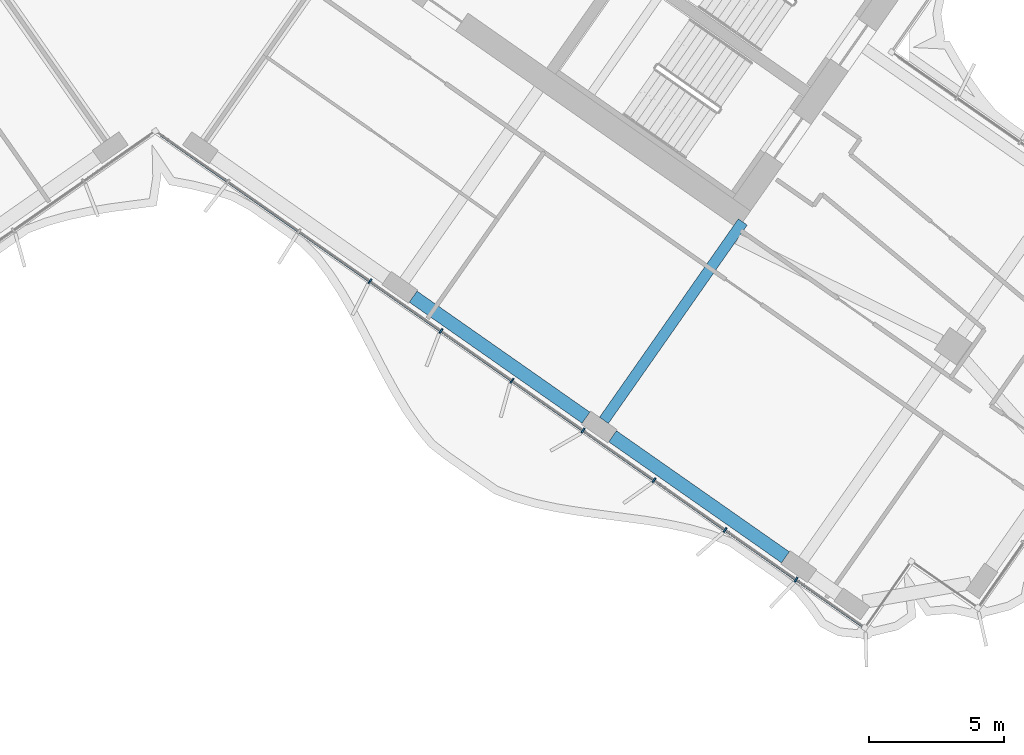
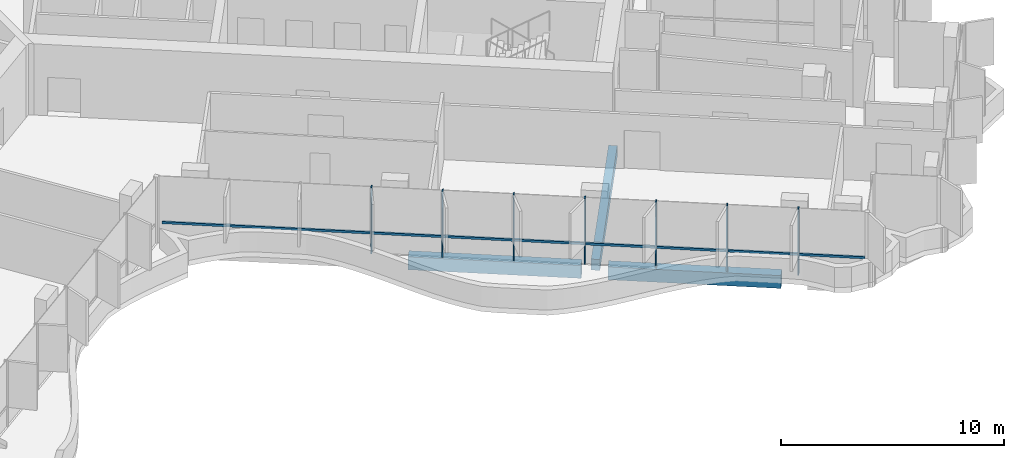
# One storey, part 5 of 21: 8 members, 3 beams, 1 element without a shape of its own.
"""IFC4 building model written with IfcOpenShell, lengths in metres."""

from ifc_helpers import new_model, si_unit, direction, frame, origin, origin_2d, place, context, subcontext, project, spatial, rectangle, extrude, material, material_profile, profile_set, type_object, element, aggregate, save


model = new_model("IFC4")

# Units and contexts
model_context = context("Model", 3, precision=1e-05, world=origin(), true_north=direction((0.0, 1.0)))
body_context = subcontext(model_context, "Body", "Model", "MODEL_VIEW")
ifc_project = project(units=[si_unit("LENGTHUNIT", "METRE"), si_unit("AREAUNIT", "SQUARE_METRE"), si_unit("VOLUMEUNIT", "CUBIC_METRE"), si_unit("PLANEANGLEUNIT", "RADIAN"), si_unit("MASSUNIT", "GRAM", prefix="KILO")], contexts=[model_context])

# Site, building, storey
site_placement = place(None, origin())
site = spatial("IfcSite", under=ifc_project, at=site_placement, CompositionType="ELEMENT")
building_placement = place(site_placement, origin())
building = spatial("IfcBuilding", under=site, at=building_placement, Name="Tel Ilan Convention Tower", CompositionType="ELEMENT")
storey_placement = place(building_placement, frame((0.0, 0.0, 155.39990234375)))
storey = spatial("IfcBuildingStorey", under=building, at=storey_placement, Name="L35", CompositionType="ELEMENT", Elevation=155.39990234375)

# Beams
ifc_material_1 = material(Name="Concrete C40/50", Category="concrete")
ifc_material_profile_1 = material_profile(ifc_material_1, rectangle(XDim=0.39990234375, YDim=0.60009765625, at=origin_2d()), Name="RC 400x600")
ifc_profile_set_1 = profile_set([ifc_material_profile_1], Name="Concrete C40/50")
beam_type_1 = type_object("IfcBeamType", Name="Beam RC 400x600 Concrete C40/50", PredefinedType="BEAM", material=ifc_profile_set_1)
beam_placement = place(storey_placement, frame((16.58203125, -23.391357421875, -0.579833984375), z_axis=(0.573584999642, 0.819146048141, 0.0), x_axis=(-0.819146048141, 0.573584999642, 0.0)))
element("IfcBeam", 1, at=beam_placement, inside=storey, type_object=beam_type_1, Name="L35 beam E-E-F3-core", PredefinedType="BEAM", context=body_context, shape_type="SweptSolid", body=[
    extrude(rectangle(XDim=0.39990234375, YDim=0.60009765625, at=origin_2d()), origin(), (0.0, 0.0, 1.0), 8.949951171875),
])
ifc_material_2 = material(Name="Concrete C40/50", Category="concrete")
ifc_material_profile_2 = material_profile(ifc_material_2, rectangle(XDim=0.5, YDim=0.699951171875, at=origin_2d()), Name="RC 500x700")
ifc_profile_set_2 = profile_set([ifc_material_profile_2], Name="Concrete C40/50")
beam_type_2 = type_object("IfcBeamType", Name="Beam RC 500x700 Concrete C40/50", PredefinedType="BEAM", material=ifc_profile_set_2)
for number, where, z_axis, x_axis, name in (
    (2, (9.529052734375, -18.819091796875, -0.6298828125), (0.819153977895, -0.573573674866, 0.0), (0.573573674866, 0.819153977895, 0.0), "L35 beam E-E-F2-E-F3"),
    (3, (16.901611328125, -23.981201171875, -0.6298828125), (0.819153977895, -0.573573674866, 0.0), (0.573573674866, 0.819153977895, 0.0), "L35 beam E-E-F3-E-F4"),
):
    element("IfcBeam", number, at=place(storey_placement, frame(where, z_axis=z_axis, x_axis=x_axis)), inside=storey, type_object=beam_type_2, Name=name, PredefinedType="BEAM", context=body_context, shape_type="SweptSolid", body=[
        extrude(rectangle(XDim=0.5, YDim=0.699951171875, at=origin_2d()), origin(), (0.0, 0.0, 1.0), 7.800048828125),
    ])

# Curtain wall, members
ifc_material_3 = material(Name="Aluminium, bronze anodised", Category="aluminium")
curtain_wall_type = type_object("IfcCurtainWallType", Name="CW4 STICK CURTAIN WALL, OFFICE TINTED GLASS", PredefinedType="NOTDEFINED", material=ifc_material_3)
curtain_wall_placement = place(storey_placement, origin())
curtain_wall = element("IfcCurtainWall", 4, at=curtain_wall_placement, inside=storey, type_object=curtain_wall_type, Name="Curtain wall CW4-27.02", PredefinedType="NOTDEFINED")
ifc_material_4 = material(Name="Aluminium, bronze anodised", Category="aluminium")
ifc_material_profile_3 = material_profile(ifc_material_4, rectangle(XDim=0.06005859375, YDim=0.199951171875, at=origin_2d()), Name="CW MULLION 60x200")
ifc_profile_set_3 = profile_set([ifc_material_profile_3], Name="Aluminium, bronze anodised")
member_type_1 = type_object("IfcMemberType", Name="CW MULLION 60x200", PredefinedType="MULLION", material=ifc_profile_set_3)
member_1_placement = place(storey_placement, frame((7.932861328125, -18.250732421875, 0.0), z_axis=(0.0, 0.0, 1.0), x_axis=(0.819152044289, -0.573576436351, 0.0)))
member_1 = element("IfcMember", 5, at=member_1_placement, type_object=member_type_1, Name="Mullion", PredefinedType="MULLION", context=body_context, shape_type="SweptSolid", body=[
    extrude(rectangle(XDim=0.06005859375, YDim=0.199951171875, at=origin_2d()), origin(), (0.0, 0.0, 1.0), 3.6201171875),
])
member_2_placement = place(storey_placement, frame((10.55810546875, -20.0888671875, 0.0), z_axis=(0.0, 0.0, 1.0), x_axis=(0.819152044289, -0.573576436351, 0.0)))
member_2 = element("IfcMember", 6, at=member_2_placement, type_object=member_type_1, Name="Mullion", PredefinedType="MULLION", context=body_context, shape_type="SweptSolid", body=[
    extrude(rectangle(XDim=0.06005859375, YDim=0.199951171875, at=origin_2d()), origin(), (0.0, 0.0, 1.0), 3.6201171875),
])
member_3_placement = place(storey_placement, frame((13.183349609375, -21.92724609375, 0.0), z_axis=(0.0, 0.0, 1.0), x_axis=(0.819152044289, -0.573576436351, 0.0)))
member_3 = element("IfcMember", 7, at=member_3_placement, type_object=member_type_1, Name="Mullion", PredefinedType="MULLION", context=body_context, shape_type="SweptSolid", body=[
    extrude(rectangle(XDim=0.06005859375, YDim=0.199951171875, at=origin_2d()), origin(), (0.0, 0.0, 1.0), 3.6201171875),
])
member_4_placement = place(storey_placement, frame((15.80859375, -23.765380859375, 0.0), z_axis=(0.0, 0.0, 1.0), x_axis=(0.819152044289, -0.573576436351, 0.0)))
member_4 = element("IfcMember", 8, at=member_4_placement, type_object=member_type_1, Name="Mullion", PredefinedType="MULLION", context=body_context, shape_type="SweptSolid", body=[
    extrude(rectangle(XDim=0.06005859375, YDim=0.199951171875, at=origin_2d()), origin(), (0.0, 0.0, 1.0), 3.6201171875),
])
member_5_placement = place(storey_placement, frame((18.433837890625, -25.603515625, 0.0), z_axis=(0.0, 0.0, 1.0), x_axis=(0.819152044289, -0.573576436351, 0.0)))
member_5 = element("IfcMember", 9, at=member_5_placement, type_object=member_type_1, Name="Mullion", PredefinedType="MULLION", context=body_context, shape_type="SweptSolid", body=[
    extrude(rectangle(XDim=0.06005859375, YDim=0.199951171875, at=origin_2d()), origin(), (0.0, 0.0, 1.0), 3.6201171875),
])
member_6_placement = place(storey_placement, frame((21.05908203125, -27.441650390625, 0.0), z_axis=(0.0, 0.0, 1.0), x_axis=(0.819152044289, -0.573576436351, 0.0)))
member_6 = element("IfcMember", 10, at=member_6_placement, type_object=member_type_1, Name="Mullion", PredefinedType="MULLION", context=body_context, shape_type="SweptSolid", body=[
    extrude(rectangle(XDim=0.06005859375, YDim=0.199951171875, at=origin_2d()), origin(), (0.0, 0.0, 1.0), 3.6201171875),
])
member_7_placement = place(storey_placement, frame((23.68408203125, -29.27978515625, 0.0), z_axis=(0.0, 0.0, 1.0), x_axis=(0.819152044289, -0.573576436351, 0.0)))
member_7 = element("IfcMember", 11, at=member_7_placement, type_object=member_type_1, Name="Mullion", PredefinedType="MULLION", context=body_context, shape_type="SweptSolid", body=[
    extrude(rectangle(XDim=0.06005859375, YDim=0.199951171875, at=origin_2d()), origin(), (0.0, 0.0, 1.0), 3.6201171875),
])
ifc_material_5 = material(Name="Aluminium, bronze anodised", Category="aluminium")
ifc_material_profile_4 = material_profile(ifc_material_5, rectangle(XDim=0.10009765625, YDim=0.1201171875, at=origin_2d()), Name="CW TRANSOM 100x120")
ifc_profile_set_4 = profile_set([ifc_material_profile_4], Name="Aluminium, bronze anodised")
member_type_2 = type_object("IfcMemberType", Name="CW TRANSOM 100x120", PredefinedType="USERDEFINED", material=ifc_profile_set_4)
member_8_placement = place(storey_placement, frame((0.22119140625, -12.850830078125, 1.10009765625), z_axis=(0.819149281128, -0.573580382534, 0.0), x_axis=(0.573580382534, 0.819149281128, 0.0)))
member_8 = element("IfcMember", 12, at=member_8_placement, type_object=member_type_2, Name="Transom", ObjectType="TRANSOM", PredefinedType="USERDEFINED", context=body_context, shape_type="SweptSolid", body=[
    extrude(rectangle(XDim=0.10009765625, YDim=0.1201171875, at=origin_2d()), origin(), (0.0, 0.0, 1.0), 31.64794921875),
])
aggregate(curtain_wall, [member_1, member_2, member_3, member_4, member_5, member_6, member_7, member_8])

save(model, "model.ifc")
